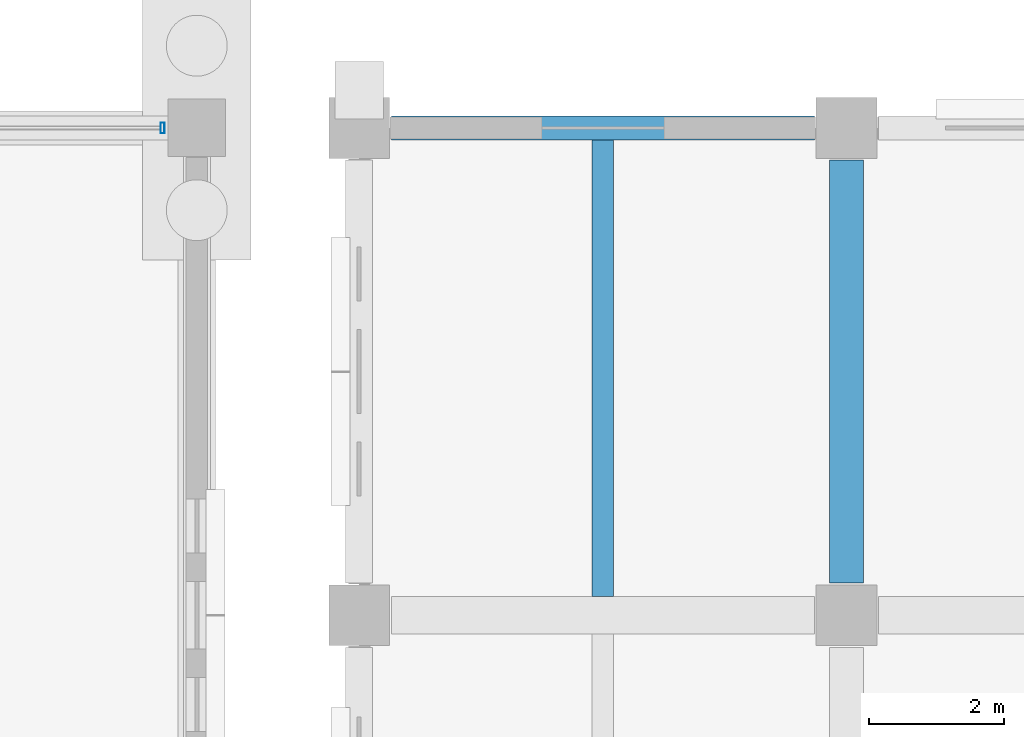
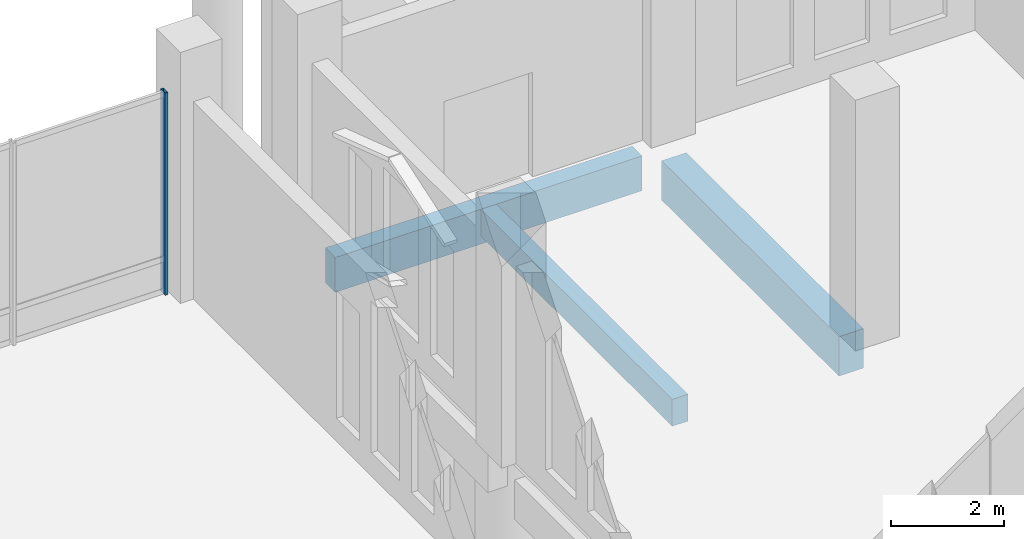
# One storey, part 84 of 192: 3 beams, 1 member, 1 element without a shape of its own.
"""IFC4 building model written with IfcOpenShell, lengths in metres."""

from ifc_helpers import new_model, si_unit, direction, frame, origin, origin_2d, place, context, subcontext, project, spatial, rectangle, hollow_rectangle, extrude, material, material_profile, profile_set, type_object, element, aggregate, save


model = new_model("IFC4")

# Units and contexts
model_context = context("Model", 3, precision=1e-05, world=origin(), true_north=direction((0.0, 1.0)))
body_context = subcontext(model_context, "Body", "Model", "MODEL_VIEW")
ifc_project = project(units=[si_unit("LENGTHUNIT", "METRE"), si_unit("AREAUNIT", "SQUARE_METRE"), si_unit("VOLUMEUNIT", "CUBIC_METRE"), si_unit("PLANEANGLEUNIT", "RADIAN"), si_unit("MASSUNIT", "GRAM", prefix="KILO")], contexts=[model_context])

# Site, building, storey
site_placement = place(None, origin())
site = spatial("IfcSite", under=ifc_project, at=site_placement, CompositionType="ELEMENT")
building_placement = place(site_placement, origin())
building = spatial("IfcBuilding", under=site, at=building_placement, Name="Cendralis Lancet Convention Centre", CompositionType="ELEMENT")
storey_placement = place(building_placement, origin())
storey = spatial("IfcBuildingStorey", under=building, at=storey_placement, Name="L00", CompositionType="ELEMENT", Elevation=0.0)

# Curtain wall, member
ifc_material_1 = material(Name="Anodised bronze architectural aluminium", Category="aluminium")
curtain_wall_type = type_object("IfcCurtainWallType", Name="ARC-CW-CL01", PredefinedType="USERDEFINED", material=ifc_material_1)
curtain_wall_placement = place(storey_placement, origin())
curtain_wall = element("IfcCurtainWall", 1, at=curtain_wall_placement, inside=storey, type_object=curtain_wall_type, Name="L00 Curtain Wall CW-CL1 #165", ObjectType="CURTAIN WALL", PredefinedType="USERDEFINED")
ifc_material_profile_1 = material_profile(ifc_material_1, hollow_rectangle(XDim=0.06005859375, YDim=0.159912109375, WallThickness=0.00390625, at=origin_2d()), Name="AL-MULL 60x160x4.0")
ifc_profile_set_1 = profile_set([ifc_material_profile_1], Name="Anodised bronze architectural aluminium")
member_type = type_object("IfcMemberType", Name="ARC-CW-ML01", PredefinedType="MULLION", material=ifc_profile_set_1)
member_placement = place(storey_placement, frame((129.094970703125, 36.0, 0.0), z_axis=(0.0, 0.0, 1.0), x_axis=(1.0, 0.0, 0.0)))
member = element("IfcMember", 2, at=member_placement, type_object=member_type, Name="Mullion CW2-CW-CL1-L00-165-M2", PredefinedType="MULLION", context=body_context, shape_type="SweptSolid", body=[
    extrude(hollow_rectangle(XDim=0.06005859375, YDim=0.159912109375, WallThickness=0.00390625, at=origin_2d()), origin(), (0.0, 0.0, 1.0), 4.35498046875),
])
aggregate(curtain_wall, [member])

# Beams
ifc_material_2 = material(Name="Concrete G35 (C35/45)", Category="concrete")
ifc_material_profile_2 = material_profile(ifc_material_2, rectangle(XDim=0.5, YDim=0.85009765625, at=origin_2d()), Name="RCB 500x850")
ifc_profile_set_2 = profile_set([ifc_material_profile_2], Name="Concrete G35 (C35/45)")
beam_type_1 = type_object("IfcBeamType", Name="STR-BM-BG08", PredefinedType="BEAM", material=ifc_profile_set_2)
beam_1_placement = place(storey_placement, frame((139.199951171875, 29.27490234375, -0.7451171875), z_axis=(0.0, 1.0, 0.0), x_axis=(-1.0, 0.0, 0.0)))
element("IfcBeam", 3, at=beam_1_placement, inside=storey, type_object=beam_type_1, Name="L00 Beam BG08 #0058", PredefinedType="BEAM", context=body_context, shape_type="SweptSolid", body=[
    extrude(rectangle(XDim=0.5, YDim=0.85009765625, at=origin_2d()), origin(), (0.0, 0.0, 1.0), 6.25),
])
ifc_material_profile_3 = material_profile(ifc_material_2, rectangle(XDim=0.320068359375, YDim=0.580078125, at=origin_2d()), Name="RCB 320x580")
ifc_profile_set_3 = profile_set([ifc_material_profile_3], Name="Concrete G35 (C35/45)")
beam_type_2 = type_object("IfcBeamType", Name="STR-JS-BJ01", PredefinedType="JOIST", material=ifc_profile_set_3)
beam_2_placement = place(storey_placement, frame((135.60009765625, 29.074951171875, -0.610107421875), z_axis=(0.0, 1.0, 0.0), x_axis=(-1.0, 0.0, 0.0)))
element("IfcBeam", 4, at=beam_2_placement, inside=storey, type_object=beam_type_2, Name="L00 Beam BJ01 #0096", PredefinedType="JOIST", context=body_context, shape_type="SweptSolid", body=[
    extrude(rectangle(XDim=0.320068359375, YDim=0.580078125, at=origin_2d()), origin(), (0.0, 0.0, 1.0), 6.75),
])
ifc_material_3 = material(Name="Concrete G40 (C40/50)", Category="concrete")
ifc_material_profile_4 = material_profile(ifc_material_3, rectangle(XDim=0.35009765625, YDim=0.75, at=origin_2d()), Name="RCB 350x750")
ifc_profile_set_4 = profile_set([ifc_material_profile_4], Name="Concrete G40 (C40/50)")
beam_type_3 = type_object("IfcBeamType", Name="STR-SP-SP01", PredefinedType="SPANDREL", material=ifc_profile_set_4)
beam_3_placement = place(storey_placement, frame((132.47509765625, 36.0, -0.695068359375), z_axis=(1.0, 0.0, 0.0), x_axis=(0.0, 1.0, 0.0)))
element("IfcBeam", 5, at=beam_3_placement, inside=storey, type_object=beam_type_3, Name="L00 Beam SP01 #0041", PredefinedType="SPANDREL", context=body_context, shape_type="SweptSolid", body=[
    extrude(rectangle(XDim=0.35009765625, YDim=0.75, at=origin_2d()), origin(), (0.0, 0.0, 1.0), 6.25),
])

save(model, "model.ifc")
